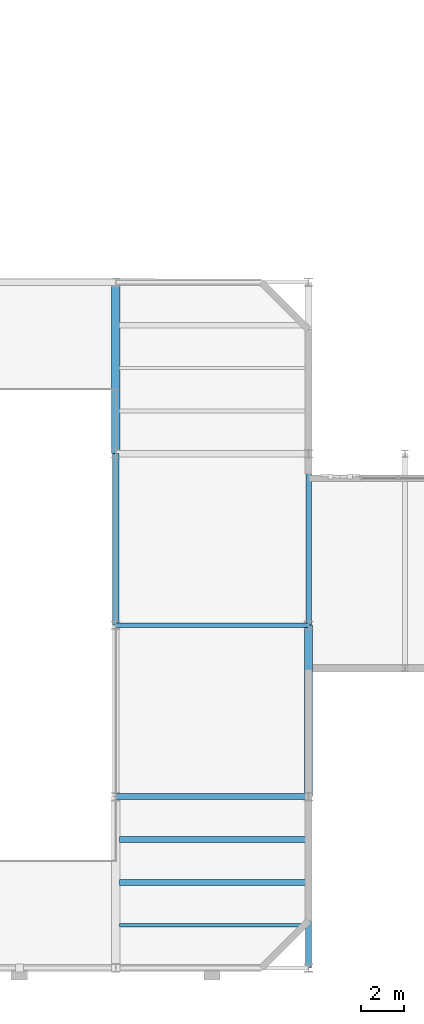
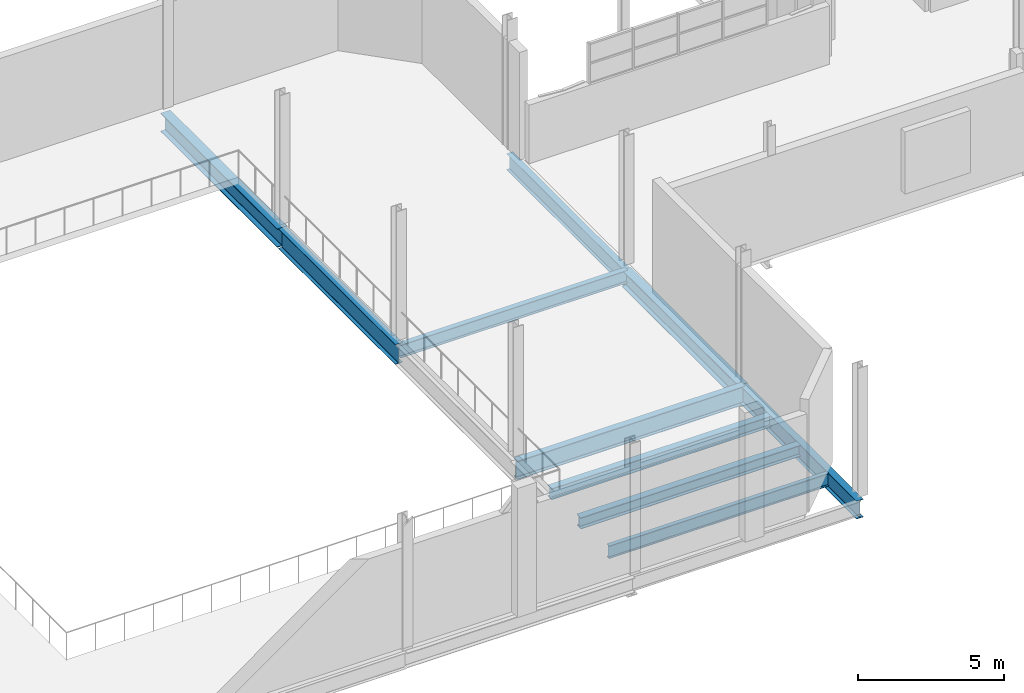
# One storey, part 15 of 142: 10 beams.
"""IFC4 building model written with IfcOpenShell, lengths in metres."""

from ifc_helpers import new_model, si_unit, direction, frame, origin, origin_2d, place, context, subcontext, project, spatial, i_section, extrude, material, material_profile, profile_set, type_object, element, save


model = new_model("IFC4")

# Units and contexts
model_context = context("Model", 3, precision=1e-05, world=origin(), true_north=direction((0.0, 1.0)))
body_context = subcontext(model_context, "Body", "Model", "MODEL_VIEW")
ifc_project = project(units=[si_unit("LENGTHUNIT", "METRE"), si_unit("AREAUNIT", "SQUARE_METRE"), si_unit("VOLUMEUNIT", "CUBIC_METRE"), si_unit("PLANEANGLEUNIT", "RADIAN"), si_unit("MASSUNIT", "GRAM", prefix="KILO"), si_unit("THERMODYNAMICTEMPERATUREUNIT", "KELVIN"), si_unit("POWERUNIT", "WATT")], contexts=[model_context])

# Site, building, storey
site_placement = place(None, origin())
site = spatial("IfcSite", under=ifc_project, at=site_placement, CompositionType="ELEMENT")
building_placement = place(site_placement, origin())
building = spatial("IfcBuilding", under=site, at=building_placement, Name="Zelmaris Science Centre", CompositionType="ELEMENT")
storey_placement = place(building_placement, frame((0.0, 0.0, 5.39990234375)))
storey = spatial("IfcBuildingStorey", under=building, at=storey_placement, Name="L01", CompositionType="ELEMENT", Elevation=5.39990234375)

# Beams
ifc_material = material(Name="Steel ASTM A992 Grade 50", Category="steel")
ifc_material_profile_1 = material_profile(ifc_material, i_section(OverallWidth=0.26708984375, OverallDepth=0.77001953125, WebThickness=0.015625, FlangeThickness=0.025390625, FilletRadius=0.01904296875, at=origin_2d()), Name="W30X132")
ifc_profile_set_1 = profile_set([ifc_material_profile_1], Name="Steel ASTM A992 Grade 50")
beam_type_1 = type_object("IfcBeamType", Name="Beam G-09 W30X132", PredefinedType="BEAM", material=ifc_profile_set_1)
beam_1_placement = place(storey_placement, frame((45.0, 16.0, -0.664794921875), z_axis=(1.0, 0.0, 0.0), x_axis=(0.0, 1.0, 0.0)))
element("IfcBeam", 1, at=beam_1_placement, inside=storey, type_object=beam_type_1, Name="L01 East-west girder 345", PredefinedType="BEAM", context=body_context, shape_type="SweptSolid", body=[
    extrude(i_section(OverallWidth=0.26708984375, OverallDepth=0.77001953125, WebThickness=0.015625, FlangeThickness=0.025390625, FilletRadius=0.01904296875, at=origin_2d()), origin(), (0.0, 0.0, 1.0), 9.0),
])
ifc_material_profile_2 = material_profile(ifc_material, i_section(OverallWidth=0.2109375, OverallDepth=0.5380859375, WebThickness=0.01171875, FlangeThickness=0.018798828125, FilletRadius=0.013916015625, at=origin_2d()), Name="W21X73")
ifc_profile_set_2 = profile_set([ifc_material_profile_2], Name="Steel ASTM A992 Grade 50")
beam_type_2 = type_object("IfcBeamType", Name="Beam G-19 W21X73", PredefinedType="BEAM", material=ifc_profile_set_2)
beam_2_placement = place(storey_placement, frame((45.0, 24.0, -0.56884765625), z_axis=(1.0, 0.0, 0.0), x_axis=(0.0, 1.0, 0.0)))
element("IfcBeam", 2, at=beam_2_placement, inside=storey, type_object=beam_type_2, Name="L01 East-west girder 353", PredefinedType="BEAM", context=body_context, shape_type="SweptSolid", body=[
    extrude(i_section(OverallWidth=0.2109375, OverallDepth=0.5380859375, WebThickness=0.01171875, FlangeThickness=0.018798828125, FilletRadius=0.013916015625, at=origin_2d()), origin(), (0.0, 0.0, 1.0), 9.0),
])
ifc_material_profile_3 = material_profile(ifc_material, i_section(OverallWidth=0.2919921875, OverallDepth=0.8359375, WebThickness=0.013916015625, FlangeThickness=0.018798828125, FilletRadius=0.02001953125, at=origin_2d()), Name="W33X118")
ifc_profile_set_3 = profile_set([ifc_material_profile_3], Name="Steel ASTM A992 Grade 50")
beam_type_3 = type_object("IfcBeamType", Name="Beam G-30 W33X118", PredefinedType="BEAM", material=ifc_profile_set_3)
beam_3_placement = place(storey_placement, frame((45.0, 24.0, -0.697998046875), z_axis=(0.0, 1.0, 0.0), x_axis=(-1.0, 0.0, 0.0)))
element("IfcBeam", 3, at=beam_3_placement, inside=storey, type_object=beam_type_3, Name="L01 North-south girder 267", PredefinedType="BEAM", context=body_context, shape_type="SweptSolid", body=[
    extrude(i_section(OverallWidth=0.2919921875, OverallDepth=0.8359375, WebThickness=0.013916015625, FlangeThickness=0.018798828125, FilletRadius=0.02001953125, at=origin_2d()), origin(), (0.0, 0.0, 1.0), 8.0),
])
ifc_material_profile_4 = material_profile(ifc_material, i_section(OverallWidth=0.381103515625, OverallDepth=0.777099609375, WebThickness=0.01806640625, FlangeThickness=0.030029296875, FilletRadius=0.01904296875, at=origin_2d()), Name="W30X191")
ifc_profile_set_4 = profile_set([ifc_material_profile_4], Name="Steel ASTM A992 Grade 50")
beam_type_4 = type_object("IfcBeamType", Name="Beam G-31 W30X191", PredefinedType="BEAM", material=ifc_profile_set_4)
beam_4_placement = place(storey_placement, frame((45.0, 32.0, -0.66845703125), z_axis=(0.0, 1.0, 0.0), x_axis=(-1.0, 0.0, 0.0)))
element("IfcBeam", 4, at=beam_4_placement, inside=storey, type_object=beam_type_4, Name="L01 North-south girder 268", PredefinedType="BEAM", context=body_context, shape_type="SweptSolid", body=[
    extrude(i_section(OverallWidth=0.381103515625, OverallDepth=0.777099609375, WebThickness=0.01806640625, FlangeThickness=0.030029296875, FilletRadius=0.01904296875, at=origin_2d()), origin(), (0.0, 0.0, 1.0), 8.0),
])
ifc_material_profile_5 = material_profile(ifc_material, i_section(OverallWidth=0.26708984375, OverallDepth=0.75390625, WebThickness=0.01318359375, FlangeThickness=0.01708984375, FilletRadius=0.01904296875, at=origin_2d()), Name="W30X99")
ifc_profile_set_5 = profile_set([ifc_material_profile_5], Name="Steel ASTM A992 Grade 50")
beam_type_5 = type_object("IfcBeamType", Name="Beam G-34 W30X99", PredefinedType="BEAM", material=ifc_profile_set_5)
beam_5_placement = place(storey_placement, frame((54.0, 8.0, -0.656982421875), z_axis=(0.0, 1.0, 0.0), x_axis=(-1.0, 0.0, 0.0)))
element("IfcBeam", 5, at=beam_5_placement, inside=storey, type_object=beam_type_5, Name="L01 North-south girder 271", PredefinedType="BEAM", context=body_context, shape_type="SweptSolid", body=[
    extrude(i_section(OverallWidth=0.26708984375, OverallDepth=0.75390625, WebThickness=0.01318359375, FlangeThickness=0.01708984375, FilletRadius=0.01904296875, at=origin_2d()), origin(), (0.0, 0.0, 1.0), 8.0),
])
ifc_material_profile_6 = material_profile(ifc_material, i_section(OverallWidth=0.35595703125, OverallDepth=0.700927734375, WebThickness=0.016845703125, FlangeThickness=0.02734375, FilletRadius=0.01806640625, at=origin_2d()), Name="W27X161")
ifc_profile_set_6 = profile_set([ifc_material_profile_6], Name="Steel ASTM A992 Grade 50")
beam_type_6 = type_object("IfcBeamType", Name="Beam G-35 W27X161", PredefinedType="BEAM", material=ifc_profile_set_6)
beam_6_placement = place(storey_placement, frame((54.0, 16.0, -0.650390625), z_axis=(0.0, 1.0, 0.0), x_axis=(-1.0, 0.0, 0.0)))
element("IfcBeam", 6, at=beam_6_placement, inside=storey, type_object=beam_type_6, Name="L01 North-south girder 272", PredefinedType="BEAM", context=body_context, shape_type="SweptSolid", body=[
    extrude(i_section(OverallWidth=0.35595703125, OverallDepth=0.700927734375, WebThickness=0.016845703125, FlangeThickness=0.02734375, FilletRadius=0.01806640625, at=origin_2d()), origin(), (0.0, 0.0, 1.0), 8.0),
])
ifc_material_profile_7 = material_profile(ifc_material, i_section(OverallWidth=0.25390625, OverallDepth=0.677978515625, WebThickness=0.01171875, FlangeThickness=0.016357421875, FilletRadius=0.01806640625, at=origin_2d()), Name="W27X84")
ifc_profile_set_7 = profile_set([ifc_material_profile_7], Name="Steel ASTM A992 Grade 50")
beam_type_7 = type_object("IfcBeamType", Name="Beam G-36 W27X84", PredefinedType="BEAM", material=ifc_profile_set_7)
beam_7_placement = place(storey_placement, frame((54.0, 24.0, -0.638916015625), z_axis=(0.0, 1.0, 0.0), x_axis=(-1.0, 0.0, 0.0)))
element("IfcBeam", 7, at=beam_7_placement, inside=storey, type_object=beam_type_7, Name="L01 North-south girder 273", PredefinedType="BEAM", context=body_context, shape_type="SweptSolid", body=[
    extrude(i_section(OverallWidth=0.25390625, OverallDepth=0.677978515625, WebThickness=0.01171875, FlangeThickness=0.016357421875, FilletRadius=0.01806640625, at=origin_2d()), origin(), (0.0, 0.0, 1.0), 8.0),
])
ifc_material_profile_8 = material_profile(ifc_material, i_section(OverallWidth=0.16796875, OverallDepth=0.532958984375, WebThickness=0.01025390625, FlangeThickness=0.0166015625, FilletRadius=0.013916015625, at=origin_2d()), Name="W21X57")
ifc_profile_set_8 = profile_set([ifc_material_profile_8], Name="Steel ASTM A992 Grade 50")
beam_type_8 = type_object("IfcBeamType", Name="Beam J-01 W21X57", PredefinedType="JOIST", material=ifc_profile_set_8)
beam_8_placement = place(storey_placement, frame((45.18701171875, 10.0, -0.54638671875), z_axis=(1.0, 0.0, 0.0), x_axis=(0.0, 1.0, 0.0)))
element("IfcBeam", 8, at=beam_8_placement, inside=storey, type_object=beam_type_8, Name="L01 Composite floor joist 135", PredefinedType="JOIST", context=body_context, shape_type="SweptSolid", body=[
    extrude(i_section(OverallWidth=0.16796875, OverallDepth=0.532958984375, WebThickness=0.01025390625, FlangeThickness=0.0166015625, FilletRadius=0.013916015625, at=origin_2d()), origin(), (0.0, 0.0, 1.0), 8.694580078125),
])
ifc_material_profile_9 = material_profile(ifc_material, i_section(OverallWidth=0.281982421875, OverallDepth=0.471923828125, WebThickness=0.013671875, FlangeThickness=0.022216796875, FilletRadius=0.012939453125, at=origin_2d()), Name="W18X97")
ifc_profile_set_9 = profile_set([ifc_material_profile_9], Name="Steel ASTM A992 Grade 50")
beam_type_9 = type_object("IfcBeamType", Name="Beam J-02 W18X97", PredefinedType="JOIST", material=ifc_profile_set_9)
beam_9_placement = place(storey_placement, frame((45.18701171875, 12.0, -0.515869140625), z_axis=(1.0, 0.0, 0.0), x_axis=(0.0, 1.0, 0.0)))
element("IfcBeam", 9, at=beam_9_placement, inside=storey, type_object=beam_type_9, Name="L01 Composite floor joist 136", PredefinedType="JOIST", context=body_context, shape_type="SweptSolid", body=[
    extrude(i_section(OverallWidth=0.281982421875, OverallDepth=0.471923828125, WebThickness=0.013671875, FlangeThickness=0.022216796875, FilletRadius=0.012939453125, at=origin_2d()), origin(), (0.0, 0.0, 1.0), 8.694580078125),
])
ifc_material_profile_10 = material_profile(ifc_material, i_section(OverallWidth=0.279052734375, OverallDepth=0.4619140625, WebThickness=0.0107421875, FlangeThickness=0.017333984375, FilletRadius=0.012939453125, at=origin_2d()), Name="W18X76")
ifc_profile_set_10 = profile_set([ifc_material_profile_10], Name="Steel ASTM A992 Grade 50")
beam_type_10 = type_object("IfcBeamType", Name="Beam J-03 W18X76", PredefinedType="JOIST", material=ifc_profile_set_10)
beam_10_placement = place(storey_placement, frame((45.18701171875, 14.0, -0.510986328125), z_axis=(1.0, 0.0, 0.0), x_axis=(0.0, 1.0, 0.0)))
element("IfcBeam", 10, at=beam_10_placement, inside=storey, type_object=beam_type_10, Name="L01 Composite floor joist 137", PredefinedType="JOIST", context=body_context, shape_type="SweptSolid", body=[
    extrude(i_section(OverallWidth=0.279052734375, OverallDepth=0.4619140625, WebThickness=0.0107421875, FlangeThickness=0.017333984375, FilletRadius=0.012939453125, at=origin_2d()), origin(), (0.0, 0.0, 1.0), 8.694580078125),
])

save(model, "model.ifc")
